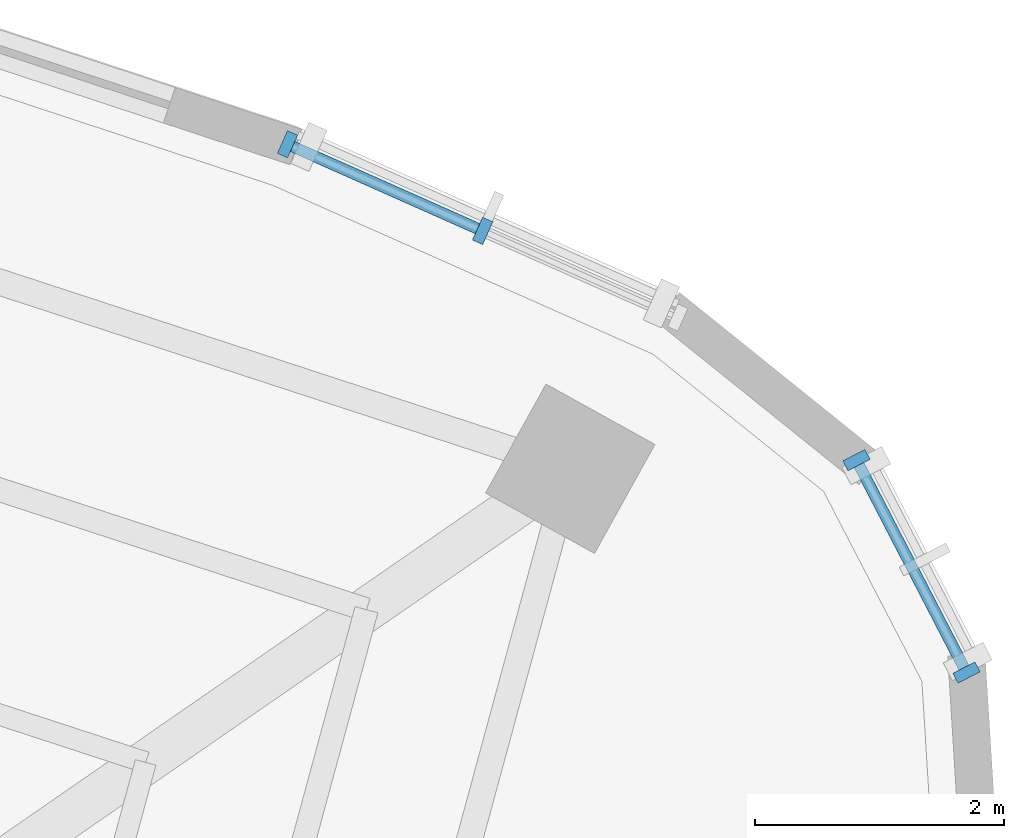
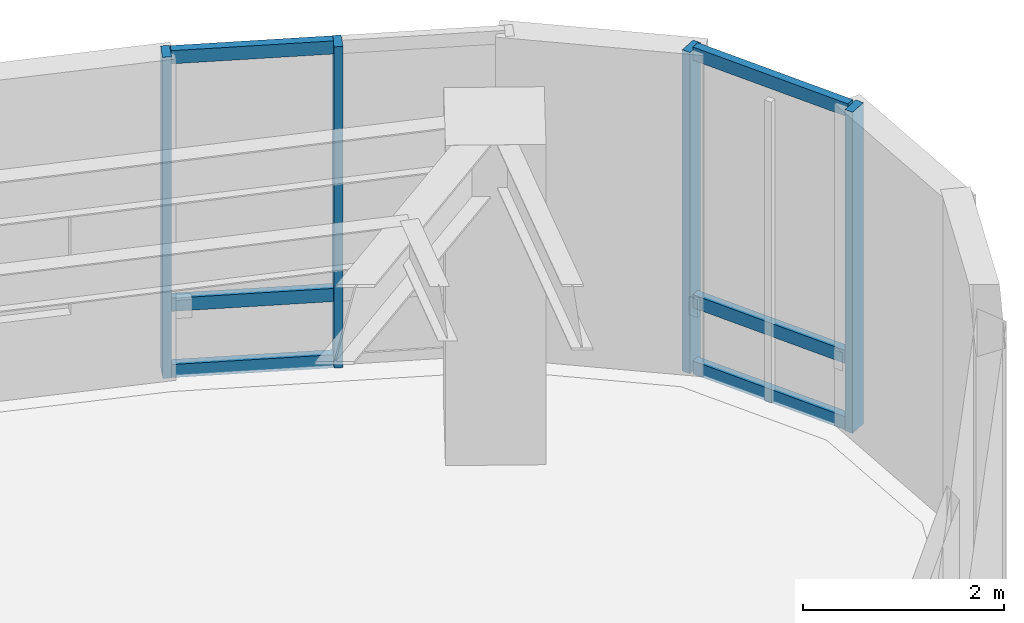
# One storey, part 6 of 15: 10 members, 2 elements without a shape of their own.
"""IFC4 building model written with IfcOpenShell, lengths in metres."""

from ifc_helpers import new_model, si_unit, direction, frame, origin, origin_2d, place, context, subcontext, project, spatial, rectangle, extrude, material, layer, layer_set, material_profile, profile_set, type_object, element, aggregate, save


model = new_model("IFC4")

# Units and contexts
model_context = context("Model", 3, precision=1e-05, world=origin(), true_north=direction((0.0, 1.0)))
body_context = subcontext(model_context, "Body", "Model", "MODEL_VIEW")
ifc_project = project(units=[si_unit("LENGTHUNIT", "METRE"), si_unit("AREAUNIT", "SQUARE_METRE"), si_unit("VOLUMEUNIT", "CUBIC_METRE"), si_unit("PLANEANGLEUNIT", "RADIAN"), si_unit("MASSUNIT", "GRAM", prefix="KILO")], contexts=[model_context])

# Site, building, storey
site_placement = place(None, origin())
site = spatial("IfcSite", under=ifc_project, at=site_placement, CompositionType="ELEMENT")
building_placement = place(site_placement, origin())
building = spatial("IfcBuilding", under=site, at=building_placement, Name="Korentha Bioscience Tower", CompositionType="ELEMENT")
storey_placement = place(building_placement, frame((0.0, 0.0, 222.60009765625)))
storey = spatial("IfcBuildingStorey", under=building, at=storey_placement, Name="L51", CompositionType="ELEMENT", Elevation=222.60009765625)

# Curtain wall, members
ifc_material_1 = material(Name="Thermally Broken Aluminium Frame", Category="aluminium")
ifc_layer = layer(ifc_material_1, 0.219970703125, Name="Thermally Broken Aluminium Frame")
ifc_layer_set = layer_set([ifc_layer], Name="Thermally Broken Aluminium Frame (CW-T2)")
curtain_wall_type = type_object("IfcCurtainWallType", Name="Solar-Screened Lab Unitised Curtain Wall CW-T2", PredefinedType="USERDEFINED", material=ifc_layer_set)
curtain_wall_1_placement = place(storey_placement, origin())
curtain_wall_1 = element("IfcCurtainWall", 1, at=curtain_wall_1_placement, inside=storey, type_object=curtain_wall_type, Name="L51 Curtain Wall 01", ObjectType="UNITISED", PredefinedType="USERDEFINED")
ifc_material_2 = material(Name="Anodised Aluminium 6063-T6", Category="aluminium")
ifc_material_profile_1 = material_profile(ifc_material_2, rectangle(XDim=0.090087890625, YDim=0.199951171875, at=origin_2d()), Name="Anodised Aluminium 6063-T6")
ifc_profile_set_1 = profile_set([ifc_material_profile_1], Name="Anodised Aluminium 6063-T6 (CW-MUL)")
member_type_1 = type_object("IfcMemberType", Name="Mullion RECT 90x200", PredefinedType="MULLION", material=ifc_profile_set_1)
member_1_placement = place(storey_placement, frame((49.471923828125, 46.49072265625, 0.0), z_axis=(0.0, 0.0, 1.0), x_axis=(-0.913943941578, 0.405840450983, 0.0)))
member_1 = element("IfcMember", 2, at=member_1_placement, type_object=member_type_1, Name="CW-L51-01 Mullion 2", PredefinedType="MULLION", context=body_context, shape_type="SweptSolid", body=[
    extrude(rectangle(XDim=0.090087890625, YDim=0.199951171875, at=origin_2d()), origin(), (0.0, 0.0, 1.0), 3.89990234375),
])
member_2_placement = place(storey_placement, frame((47.9052734375, 47.186279296875, 0.0), z_axis=(0.0, 0.0, 1.0), x_axis=(-0.913943941578, 0.405840450983, 0.0)))
member_2 = element("IfcMember", 3, at=member_2_placement, type_object=member_type_1, Name="CW-L51-01 Mullion 3", PredefinedType="MULLION", context=body_context, shape_type="SweptSolid", body=[
    extrude(rectangle(XDim=0.090087890625, YDim=0.199951171875, at=origin_2d()), origin(), (0.0, 0.0, 1.0), 3.89990234375),
])

curtain_wall_2_placement = place(storey_placement, origin())
curtain_wall_2 = element("IfcCurtainWall", 4, at=curtain_wall_2_placement, inside=storey, type_object=curtain_wall_type, Name="L51 Curtain Wall 61", ObjectType="UNITISED", PredefinedType="USERDEFINED")
member_3_placement = place(storey_placement, frame((53.356689453125, 42.9443359375, 0.0), z_axis=(0.0, 0.0, 1.0), x_axis=(-0.459738031963, 0.888054582763, 0.0)))
member_3 = element("IfcMember", 5, at=member_3_placement, type_object=member_type_1, Name="CW-L51-61 Mullion 1", PredefinedType="MULLION", context=body_context, shape_type="SweptSolid", body=[
    extrude(rectangle(XDim=0.090087890625, YDim=0.199951171875, at=origin_2d()), origin(), (0.0, 0.0, 1.0), 3.89990234375),
])
member_4_placement = place(storey_placement, frame((52.473388671875, 44.650390625, 0.0), z_axis=(0.0, 0.0, 1.0), x_axis=(-0.459738031963, 0.888054582763, 0.0)))
member_4 = element("IfcMember", 6, at=member_4_placement, type_object=member_type_1, Name="CW-L51-61 Mullion 2", PredefinedType="MULLION", context=body_context, shape_type="SweptSolid", body=[
    extrude(rectangle(XDim=0.090087890625, YDim=0.199951171875, at=origin_2d()), origin(), (0.0, 0.0, 1.0), 3.89990234375),
])

# Member
ifc_material_profile_2 = material_profile(ifc_material_2, rectangle(XDim=0.090087890625, YDim=0.159912109375, at=origin_2d()), Name="Anodised Aluminium 6063-T6")
ifc_profile_set_2 = profile_set([ifc_material_profile_2], Name="Anodised Aluminium 6063-T6 (CW-TRN)")
member_type_2 = type_object("IfcMemberType", Name="Transom RECT 90x160", PredefinedType="USERDEFINED", material=ifc_profile_set_2)
member_5_placement = place(storey_placement, frame((49.430908203125, 46.509033203125, 0.044921875), z_axis=(-0.913935479932, 0.405859505891, 0.0), x_axis=(-0.405859505891, -0.913935479932, 0.0)))
member_5 = element("IfcMember", 7, at=member_5_placement, type_object=member_type_2, Name="CW-L51-01 Bay 2 Transom 1", ObjectType="TRANSOM", PredefinedType="USERDEFINED", context=body_context, shape_type="SweptSolid", body=[
    extrude(rectangle(XDim=0.090087890625, YDim=0.159912109375, at=origin_2d()), origin(), (0.0, 0.0, 1.0), 1.624267578125),
])

member_6_placement = place(storey_placement, frame((49.430908203125, 46.509033203125, 0.849853515625), z_axis=(-0.913935479932, 0.405859505891, 0.0), x_axis=(-0.405859505891, -0.913935479932, 0.0)))
member_6 = element("IfcMember", 8, at=member_6_placement, type_object=member_type_2, Name="CW-L51-01 Bay 2 Transom 2", ObjectType="TRANSOM", PredefinedType="USERDEFINED", context=body_context, shape_type="SweptSolid", body=[
    extrude(rectangle(XDim=0.090087890625, YDim=0.159912109375, at=origin_2d()), origin(), (0.0, 0.0, 1.0), 1.624267578125),
])

member_7_placement = place(storey_placement, frame((49.430908203125, 46.509033203125, 3.85498046875), z_axis=(-0.913935479932, 0.405859505891, 0.0), x_axis=(-0.405859505891, -0.913935479932, 0.0)))
member_7 = element("IfcMember", 9, at=member_7_placement, type_object=member_type_2, Name="CW-L51-01 Bay 2 Transom 3", ObjectType="TRANSOM", PredefinedType="USERDEFINED", context=body_context, shape_type="SweptSolid", body=[
    extrude(rectangle(XDim=0.090087890625, YDim=0.159912109375, at=origin_2d()), origin(), (0.0, 0.0, 1.0), 1.624267578125),
])

aggregate(curtain_wall_1, [member_1, member_2, member_5, member_6, member_7])

member_8_placement = place(storey_placement, frame((53.3359375, 42.984130859375, 0.044921875), z_axis=(-0.459752886798, 0.888046892389, 0.0), x_axis=(-0.888046892389, -0.459752886798, 0.0)))
member_8 = element("IfcMember", 10, at=member_8_placement, type_object=member_type_2, Name="CW-L51-61 Bay 1 Transom 1", ObjectType="TRANSOM", PredefinedType="USERDEFINED", context=body_context, shape_type="SweptSolid", body=[
    extrude(rectangle(XDim=0.090087890625, YDim=0.159912109375, at=origin_2d()), origin(), (0.0, 0.0, 1.0), 1.83154296875),
])

member_9_placement = place(storey_placement, frame((53.3359375, 42.984130859375, 0.849853515625), z_axis=(-0.459752886798, 0.888046892389, 0.0), x_axis=(-0.888046892389, -0.459752886798, 0.0)))
member_9 = element("IfcMember", 11, at=member_9_placement, type_object=member_type_2, Name="CW-L51-61 Bay 1 Transom 2", ObjectType="TRANSOM", PredefinedType="USERDEFINED", context=body_context, shape_type="SweptSolid", body=[
    extrude(rectangle(XDim=0.090087890625, YDim=0.159912109375, at=origin_2d()), origin(), (0.0, 0.0, 1.0), 1.83154296875),
])

member_10_placement = place(storey_placement, frame((53.3359375, 42.984130859375, 3.85498046875), z_axis=(-0.459752886798, 0.888046892389, 0.0), x_axis=(-0.888046892389, -0.459752886798, 0.0)))
member_10 = element("IfcMember", 12, at=member_10_placement, type_object=member_type_2, Name="CW-L51-61 Bay 1 Transom 3", ObjectType="TRANSOM", PredefinedType="USERDEFINED", context=body_context, shape_type="SweptSolid", body=[
    extrude(rectangle(XDim=0.090087890625, YDim=0.159912109375, at=origin_2d()), origin(), (0.0, 0.0, 1.0), 1.83154296875),
])

aggregate(curtain_wall_2, [member_3, member_4, member_8, member_9, member_10])

save(model, "model.ifc")
